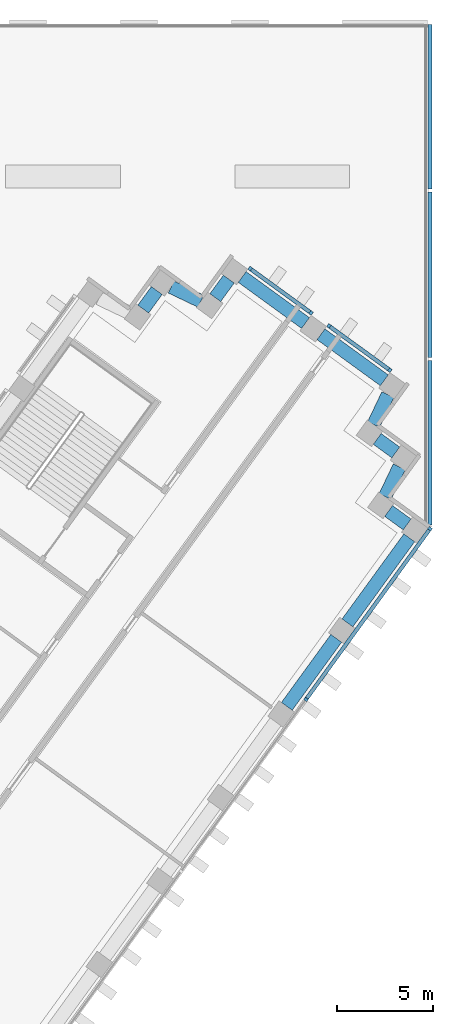
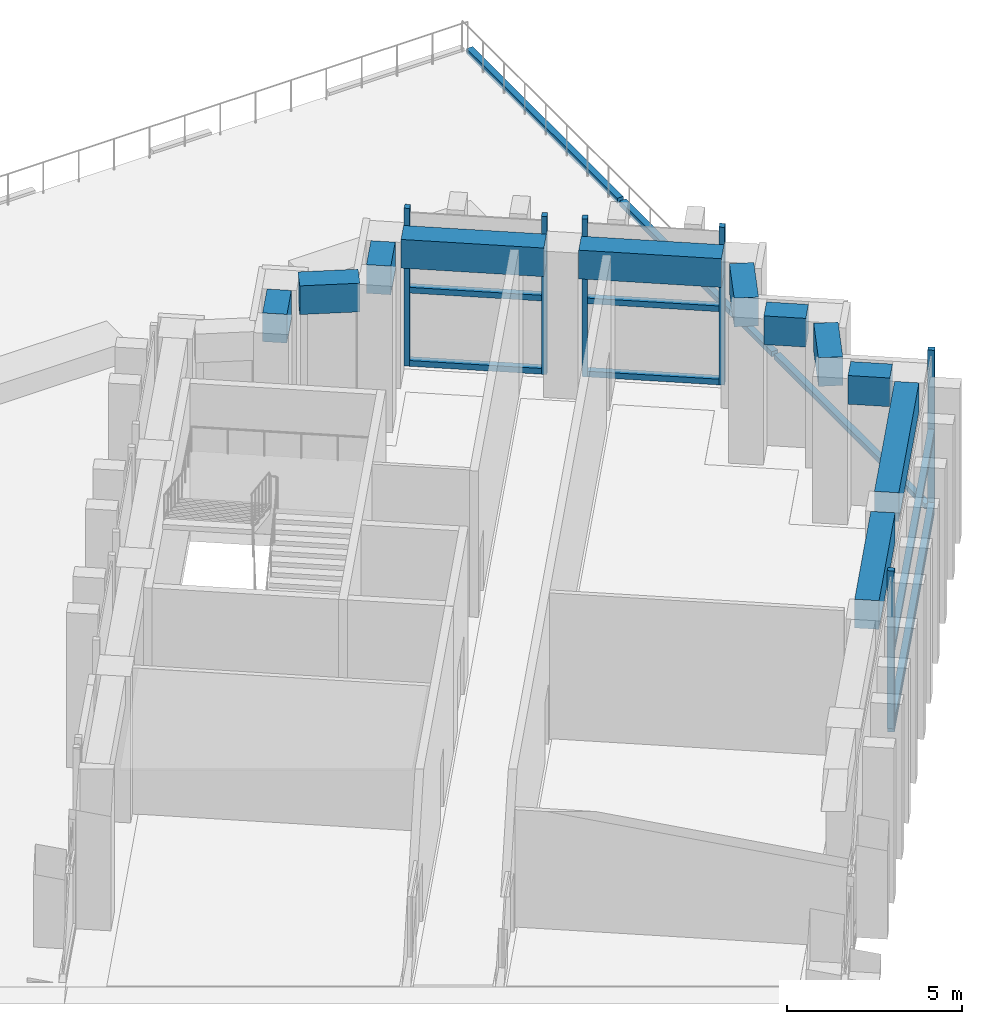
"""IFC4 building model written with IfcOpenShell, lengths in metres."""

from ifc_helpers import new_model, si_unit, direction, frame, origin, origin_2d, place, context, subcontext, project, spatial, rectangle, extrude, material, material_profile, profile_set, type_object, element, aggregate, save


model = new_model("IFC4")

# Units and contexts
model_context = context("Model", 3, precision=1e-05, world=origin(), true_north=direction((0.0, 1.0)))
body_context = subcontext(model_context, "Body", "Model", "MODEL_VIEW")
ifc_project = project(units=[si_unit("LENGTHUNIT", "METRE"), si_unit("AREAUNIT", "SQUARE_METRE"), si_unit("VOLUMEUNIT", "CUBIC_METRE"), si_unit("PLANEANGLEUNIT", "RADIAN"), si_unit("MASSUNIT", "GRAM", prefix="KILO")], contexts=[model_context])

# Site, building, storey
site_placement = place(None, origin())
site = spatial("IfcSite", under=ifc_project, at=site_placement, CompositionType="ELEMENT")
building_placement = place(site_placement, origin())
building = spatial("IfcBuilding", under=site, at=building_placement, Name="Quipu Civic Tower", CompositionType="ELEMENT")
storey_1_placement = place(building_placement, frame((0.0, 0.0, 6.0)))
storey_1 = spatial("IfcBuildingStorey", under=building, at=storey_1_placement, Name="L01", CompositionType="ELEMENT", Elevation=6.0)

# Curtain wall, members
ifc_material_1 = material(Name="Insulated glass unit", Category="glass")
curtain_wall_type_1 = type_object("IfcCurtainWallType", Name="Council chamber curtain wall CW4", PredefinedType="NOTDEFINED", material=ifc_material_1)
curtain_wall_1_placement = place(storey_1_placement, origin())
curtain_wall_1 = element("IfcCurtainWall", 1, at=curtain_wall_1_placement, inside=storey_1, type_object=curtain_wall_type_1, Name="Council chamber curtain wall CW4 L01 run 34", PredefinedType="NOTDEFINED")
ifc_material_2 = material(Name="Anodised aluminium", Category="aluminium")
ifc_material_profile_1 = material_profile(ifc_material_2, rectangle(XDim=0.199951171875, YDim=0.159912109375, at=origin_2d()), Name="RECT 200x160")
ifc_profile_set_1 = profile_set([ifc_material_profile_1], Name="Anodised aluminium")
member_type_1 = type_object("IfcMemberType", Name="Mullion CW4", PredefinedType="MULLION", material=ifc_profile_set_1)
member_1_placement = place(storey_1_placement, frame((48.717041015625, 20.64111328125, 0.10009765625), z_axis=(0.0, 0.0, 1.0), x_axis=(-0.809016918788, 0.587785356329, 0.0)))
member_1 = element("IfcMember", 2, at=member_1_placement, type_object=member_type_1, Name="CW4 mullion 4", PredefinedType="MULLION", context=body_context, shape_type="SweptSolid", body=[
    extrude(rectangle(XDim=0.199951171875, YDim=0.159912109375, at=origin_2d()), origin(), (0.0, 0.0, 1.0), 5.5),
])
member_2_placement = place(storey_1_placement, frame((55.20703125, 29.573974609375, 0.10009765625), z_axis=(0.0, 0.0, 1.0), x_axis=(-0.809016918788, 0.587785356329, 0.0)))
member_2 = element("IfcMember", 3, at=member_2_placement, type_object=member_type_1, Name="CW4 mullion 5", PredefinedType="MULLION", context=body_context, shape_type="SweptSolid", body=[
    extrude(rectangle(XDim=0.199951171875, YDim=0.159912109375, at=origin_2d()), origin(), (0.0, 0.0, 1.0), 5.5),
])

curtain_wall_2_placement = place(storey_1_placement, origin())
curtain_wall_2 = element("IfcCurtainWall", 4, at=curtain_wall_2_placement, inside=storey_1, type_object=curtain_wall_type_1, Name="Council chamber curtain wall CW4 L01 run 39", PredefinedType="NOTDEFINED")
member_3_placement = place(storey_1_placement, frame((53.103271484375, 37.876220703125, 0.10009765625), z_axis=(0.0, 0.0, 1.0), x_axis=(-0.587788590681, -0.809014568883, 0.0)))
member_3 = element("IfcMember", 5, at=member_3_placement, type_object=member_type_1, Name="CW4 mullion 1", PredefinedType="MULLION", context=body_context, shape_type="SweptSolid", body=[
    extrude(rectangle(XDim=0.199951171875, YDim=0.159912109375, at=origin_2d()), origin(), (0.0, 0.0, 1.0), 5.5),
])
member_4_placement = place(storey_1_placement, frame((49.917236328125, 40.19091796875, 0.10009765625), z_axis=(0.0, 0.0, 1.0), x_axis=(-0.587788590681, -0.809014568883, 0.0)))
member_4 = element("IfcMember", 6, at=member_4_placement, type_object=member_type_1, Name="CW4 mullion 2", PredefinedType="MULLION", context=body_context, shape_type="SweptSolid", body=[
    extrude(rectangle(XDim=0.199951171875, YDim=0.159912109375, at=origin_2d()), origin(), (0.0, 0.0, 1.0), 5.5),
])

curtain_wall_3_placement = place(storey_1_placement, origin())
curtain_wall_3 = element("IfcCurtainWall", 7, at=curtain_wall_3_placement, inside=storey_1, type_object=curtain_wall_type_1, Name="Council chamber curtain wall CW4 L01 run 40", PredefinedType="NOTDEFINED")
member_5_placement = place(storey_1_placement, frame((48.978759765625, 40.872802734375, 0.10009765625), z_axis=(0.0, 0.0, 1.0), x_axis=(-0.587767018974, -0.809030241342, 0.0)))
member_5 = element("IfcMember", 8, at=member_5_placement, type_object=member_type_1, Name="CW4 mullion 1", PredefinedType="MULLION", context=body_context, shape_type="SweptSolid", body=[
    extrude(rectangle(XDim=0.199951171875, YDim=0.159912109375, at=origin_2d()), origin(), (0.0, 0.0, 1.0), 5.5),
])
member_6_placement = place(storey_1_placement, frame((45.791259765625, 43.1884765625, 0.10009765625), z_axis=(0.0, 0.0, 1.0), x_axis=(-0.587767018974, -0.809030241342, 0.0)))
member_6 = element("IfcMember", 9, at=member_6_placement, type_object=member_type_1, Name="CW4 mullion 2", PredefinedType="MULLION", context=body_context, shape_type="SweptSolid", body=[
    extrude(rectangle(XDim=0.199951171875, YDim=0.159912109375, at=origin_2d()), origin(), (0.0, 0.0, 1.0), 5.5),
])

# Beams
ifc_material_3 = material(Name="Concrete C50/60", Category="concrete")
ifc_material_profile_2 = material_profile(ifc_material_3, rectangle(XDim=0.699951171875, YDim=1.0, at=origin_2d()), Name="RC700x1000")
ifc_profile_set_2 = profile_set([ifc_material_profile_2], Name="Concrete C50/60")
beam_type = type_object("IfcBeamType", Name="Spandrel beam RC 700x1000 C50/60", PredefinedType="SPANDREL", material=ifc_profile_set_2)
beam_1_placement = place(storey_1_placement, frame((47.71240234375, 20.279296875, 4.60009765625), z_axis=(0.587759228046, 0.809035901457, 0.0), x_axis=(-0.809035901457, 0.587759228046, 0.0)))
element("IfcBeam", 10, at=beam_1_placement, inside=storey_1, type_object=beam_type, Name="Spandrel beam L01 E-OUT-06 to E-OUT-07", PredefinedType="SPANDREL", context=body_context, shape_type="SweptSolid", body=[
    extrude(rectangle(XDim=0.699951171875, YDim=1.0, at=origin_2d()), origin(), (0.0, 0.0, 1.0), 4.400146484375),
])
beam_2_placement = place(storey_1_placement, frame((50.88623046875, 24.64794921875, 4.60009765625), z_axis=(0.587765432916, 0.809031393624, 0.0), x_axis=(-0.809031393624, 0.587765432916, 0.0)))
element("IfcBeam", 11, at=beam_2_placement, inside=storey_1, type_object=beam_type, Name="Spandrel beam L01 E-OUT-07 to T-Eo.0-E50", PredefinedType="SPANDREL", context=body_context, shape_type="SweptSolid", body=[
    extrude(rectangle(XDim=0.699951171875, YDim=1.0, at=origin_2d()), origin(), (0.0, 0.0, 1.0), 5.503662109375),
])
beam_3_placement = place(storey_1_placement, frame((54.0107421875, 29.79931640625, 4.60009765625), z_axis=(-0.808630508091, 0.588316837584, 0.0), x_axis=(-0.588316837584, -0.808630508091, 0.0)))
element("IfcBeam", 12, at=beam_3_placement, inside=storey_1, type_object=beam_type, Name="Spandrel beam L01 T-Eo.0-E50 to T-Eo.1-E50", PredefinedType="SPANDREL", context=body_context, shape_type="SweptSolid", body=[
    extrude(rectangle(XDim=0.699951171875, YDim=1.0, at=origin_2d()), origin(), (0.0, 0.0, 1.0), 1.2001953125),
])
beam_4_placement = place(storey_1_placement, frame((52.85546875, 31.258056640625, 4.60009765625), z_axis=(0.431370473785, 0.902174880135, 0.0), x_axis=(-0.902174880135, 0.431370473785, 0.0)))
element("IfcBeam", 13, at=beam_4_placement, inside=storey_1, type_object=beam_type, Name="Spandrel beam L01 T-Eo.1-E50 to T-Eo.2-E50", PredefinedType="SPANDREL", context=body_context, shape_type="SweptSolid", body=[
    extrude(rectangle(XDim=0.699951171875, YDim=1.0, at=origin_2d()), origin(), (0.0, 0.0, 1.0), 1.727294921875),
])
beam_5_placement = place(storey_1_placement, frame((53.415771484375, 33.569091796875, 4.60009765625), z_axis=(-0.808586856323, 0.588376831446, 0.0), x_axis=(-0.588376831446, -0.808586856323, 0.0)))
element("IfcBeam", 14, at=beam_5_placement, inside=storey_1, type_object=beam_type, Name="Spandrel beam L01 T-Eo.2-E50 to T-Eo.3-E50", PredefinedType="SPANDREL", context=body_context, shape_type="SweptSolid", body=[
    extrude(rectangle(XDim=0.699951171875, YDim=1.0, at=origin_2d()), origin(), (0.0, 0.0, 1.0), 1.202880859375),
])
beam_6_placement = place(storey_1_placement, frame((52.257568359375, 35.0302734375, 4.60009765625), z_axis=(0.430185740912, 0.902740399182, 0.0), x_axis=(-0.902740399182, 0.430185740912, 0.0)))
element("IfcBeam", 15, at=beam_6_placement, inside=storey_1, type_object=beam_type, Name="Spandrel beam L01 T-Eo.3-E50 to T-Eo.4-E50", PredefinedType="SPANDREL", context=body_context, shape_type="SweptSolid", body=[
    extrude(rectangle(XDim=0.699951171875, YDim=1.0, at=origin_2d()), origin(), (0.0, 0.0, 1.0), 1.728759765625),
])
beam_7_placement = place(storey_1_placement, frame((52.8154296875, 37.343994140625, 4.60009765625), z_axis=(-0.808980758408, 0.587835123589, 0.0), x_axis=(-0.587835123589, -0.808980758408, 0.0)))
element("IfcBeam", 16, at=beam_7_placement, inside=storey_1, type_object=beam_type, Name="Spandrel beam L01 T-Eo.4-E50 to TIP-E-01-E50", PredefinedType="SPANDREL", context=body_context, shape_type="SweptSolid", body=[
    extrude(rectangle(XDim=0.699951171875, YDim=1.0, at=origin_2d()), origin(), (0.0, 0.0, 1.0), 4.097900390625),
])
beam_8_placement = place(storey_1_placement, frame((48.69140625, 40.3408203125, 4.60009765625), z_axis=(-0.808983206573, 0.587831754401, 0.0), x_axis=(-0.587831754401, -0.808983206573, 0.0)))
element("IfcBeam", 17, at=beam_8_placement, inside=storey_1, type_object=beam_type, Name="Spandrel beam L01 TIP-E-01-E50 to T-Ei.0-E50", PredefinedType="SPANDREL", context=body_context, shape_type="SweptSolid", body=[
    extrude(rectangle(XDim=0.699951171875, YDim=1.0, at=origin_2d()), origin(), (0.0, 0.0, 1.0), 4.10009765625),
])
beam_9_placement = place(storey_1_placement, frame((44.67578125, 42.640625, 4.60009765625), z_axis=(-0.588461629015, -0.808525145667, 0.0), x_axis=(0.808525145667, -0.588461629015, 0.0)))
element("IfcBeam", 18, at=beam_9_placement, inside=storey_1, type_object=beam_type, Name="Spandrel beam L01 T-Ei.0-E50 to T-Ei.1-E50", PredefinedType="SPANDREL", context=body_context, shape_type="SweptSolid", body=[
    extrude(rectangle(XDim=0.699951171875, YDim=1.0, at=origin_2d()), origin(), (0.0, 0.0, 1.0), 1.201416015625),
])
beam_10_placement = place(storey_1_placement, frame((43.215576171875, 41.48388671875, 4.60009765625), z_axis=(-0.902651065962, 0.430373155666, 0.0), x_axis=(-0.430373155666, -0.902651065962, 0.0)))
element("IfcBeam", 19, at=beam_10_placement, inside=storey_1, type_object=beam_type, Name="Spandrel beam L01 T-Ei.1-E50 to T-Ei.2-E50", PredefinedType="SPANDREL", context=body_context, shape_type="SweptSolid", body=[
    extrude(rectangle(XDim=0.699951171875, YDim=1.0, at=origin_2d()), origin(), (0.0, 0.0, 1.0), 1.724609375),
])
beam_11_placement = place(storey_1_placement, frame((40.90576171875, 42.040771484375, 4.60009765625), z_axis=(-0.588316837584, -0.808630508091, 0.0), x_axis=(0.808630508091, -0.588316837584, 0.0)))
element("IfcBeam", 20, at=beam_11_placement, inside=storey_1, type_object=beam_type, Name="Spandrel beam L01 T-Ei.2-E50 to T-Ei.3-E50", PredefinedType="SPANDREL", context=body_context, shape_type="SweptSolid", body=[
    extrude(rectangle(XDim=0.699951171875, YDim=1.0, at=origin_2d()), origin(), (0.0, 0.0, 1.0), 1.2001953125),
])

# Storey
storey_2_placement = place(building_placement, origin())
storey_2 = spatial("IfcBuildingStorey", under=building, at=storey_2_placement, Name="L00", CompositionType="ELEMENT", Elevation=0.0)

# Curtain wall, member
ifc_material_4 = material(Name="Insulated glass unit", Category="glass")
curtain_wall_type_2 = type_object("IfcCurtainWallType", Name="Hall glazing CW2", PredefinedType="NOTDEFINED", material=ifc_material_4)
curtain_wall_4_placement = place(storey_2_placement, origin())
curtain_wall_4 = element("IfcCurtainWall", 21, at=curtain_wall_4_placement, inside=storey_2, type_object=curtain_wall_type_2, Name="Hall glazing CW2 L00 run 1", PredefinedType="NOTDEFINED")
ifc_material_5 = material(Name="Anodised aluminium", Category="aluminium")
ifc_material_profile_3 = material_profile(ifc_material_5, rectangle(XDim=0.199951171875, YDim=0.179931640625, at=origin_2d()), Name="RECT 200x180")
ifc_profile_set_3 = profile_set([ifc_material_profile_3], Name="Anodised aluminium")
member_type_2 = type_object("IfcMemberType", Name="Transom CW2", PredefinedType="USERDEFINED", material=ifc_profile_set_3)
member_7_placement = place(storey_1_placement, frame((48.732421875, 20.662109375, 0.0), z_axis=(0.587763979163, 0.809032449781, 0.0), x_axis=(-0.809032449781, 0.587763979163, 0.0)))
member_7 = element("IfcMember", 22, at=member_7_placement, inside=storey_1, type_object=member_type_2, Name="CW2 transom 4.3", ObjectType="TRANSOM", PredefinedType="USERDEFINED", context=body_context, shape_type="SweptSolid", body=[
    extrude(rectangle(XDim=0.199951171875, YDim=0.179931640625, at=origin_2d()), origin(), (0.0, 0.0, 1.0), 10.89697265625),
])
aggregate(curtain_wall_4, [member_7])

# Curtain wall, members
curtain_wall_5_placement = place(storey_2_placement, origin())
curtain_wall_5 = element("IfcCurtainWall", 23, at=curtain_wall_5_placement, inside=storey_2, type_object=curtain_wall_type_2, Name="Hall glazing CW2 L00 run 4", PredefinedType="NOTDEFINED")
member_8_placement = place(storey_1_placement, frame((55.21435546875, 29.782470703125, 0.0), z_axis=(0.0, 1.0, 0.0), x_axis=(-1.0, 0.0, 0.0)))
member_8 = element("IfcMember", 24, at=member_8_placement, inside=storey_1, type_object=member_type_2, Name="CW2 transom 1.3", ObjectType="TRANSOM", PredefinedType="USERDEFINED", context=body_context, shape_type="SweptSolid", body=[
    extrude(rectangle(XDim=0.199951171875, YDim=0.179931640625, at=origin_2d()), origin(), (0.0, 0.0, 1.0), 8.609130859375),
])
member_9_placement = place(storey_1_placement, frame((55.21435546875, 38.531494140625, 0.0), z_axis=(0.0, 1.0, 0.0), x_axis=(-1.0, 0.0, 0.0)))
member_9 = element("IfcMember", 25, at=member_9_placement, inside=storey_1, type_object=member_type_2, Name="CW2 transom 2.3", ObjectType="TRANSOM", PredefinedType="USERDEFINED", context=body_context, shape_type="SweptSolid", body=[
    extrude(rectangle(XDim=0.199951171875, YDim=0.179931640625, at=origin_2d()), origin(), (0.0, 0.0, 1.0), 8.67919921875),
])
member_10_placement = place(storey_1_placement, frame((55.21435546875, 47.350830078125, 0.0), z_axis=(0.0, 1.0, 0.0), x_axis=(-1.0, 0.0, 0.0)))
member_10 = element("IfcMember", 26, at=member_10_placement, inside=storey_1, type_object=member_type_2, Name="CW2 transom 3.3", ObjectType="TRANSOM", PredefinedType="USERDEFINED", context=body_context, shape_type="SweptSolid", body=[
    extrude(rectangle(XDim=0.199951171875, YDim=0.179931640625, at=origin_2d()), origin(), (0.0, 0.0, 1.0), 8.609130859375),
])
aggregate(curtain_wall_5, [member_8, member_9, member_10])

# Member
ifc_material_6 = material(Name="Anodised aluminium", Category="aluminium")
ifc_material_profile_4 = material_profile(ifc_material_6, rectangle(XDim=0.199951171875, YDim=0.199951171875, at=origin_2d()), Name="RECT 200x200")
ifc_profile_set_4 = profile_set([ifc_material_profile_4], Name="Anodised aluminium")
member_type_3 = type_object("IfcMemberType", Name="Transom CW4", PredefinedType="USERDEFINED", material=ifc_profile_set_4)
member_11_placement = place(storey_1_placement, frame((48.76416015625, 20.705810546875, 0.199951171875), z_axis=(0.587779422244, 0.809021230121, 0.0), x_axis=(-0.809021230121, 0.587779422244, 0.0)))
member_11 = element("IfcMember", 27, at=member_11_placement, type_object=member_type_3, Name="CW4 transom 4.1", ObjectType="TRANSOM", PredefinedType="USERDEFINED", context=body_context, shape_type="SweptSolid", body=[
    extrude(rectangle(XDim=0.199951171875, YDim=0.199951171875, at=origin_2d()), origin(), (0.0, 0.0, 1.0), 10.881591796875),
])

member_12_placement = place(storey_1_placement, frame((48.76416015625, 20.705810546875, 2.75), z_axis=(0.587779422244, 0.809021230121, 0.0), x_axis=(-0.809021230121, 0.587779422244, 0.0)))
member_12 = element("IfcMember", 28, at=member_12_placement, type_object=member_type_3, Name="CW4 transom 4.2", ObjectType="TRANSOM", PredefinedType="USERDEFINED", context=body_context, shape_type="SweptSolid", body=[
    extrude(rectangle(XDim=0.199951171875, YDim=0.199951171875, at=origin_2d()), origin(), (0.0, 0.0, 1.0), 10.881591796875),
])

aggregate(curtain_wall_1, [member_1, member_2, member_11, member_12])

member_13_placement = place(storey_1_placement, frame((53.03857421875, 37.923095703125, 0.199951171875), z_axis=(-0.809026595261, 0.587772037579, 0.0), x_axis=(-0.587772037579, -0.809026595261, 0.0)))
member_13 = element("IfcMember", 29, at=member_13_placement, type_object=member_type_3, Name="CW4 transom 1.1", ObjectType="TRANSOM", PredefinedType="USERDEFINED", context=body_context, shape_type="SweptSolid", body=[
    extrude(rectangle(XDim=0.199951171875, YDim=0.199951171875, at=origin_2d()), origin(), (0.0, 0.0, 1.0), 3.778076171875),
])

member_14_placement = place(storey_1_placement, frame((53.03857421875, 37.923095703125, 2.75), z_axis=(-0.809026595261, 0.587772037579, 0.0), x_axis=(-0.587772037579, -0.809026595261, 0.0)))
member_14 = element("IfcMember", 30, at=member_14_placement, type_object=member_type_3, Name="CW4 transom 1.2", ObjectType="TRANSOM", PredefinedType="USERDEFINED", context=body_context, shape_type="SweptSolid", body=[
    extrude(rectangle(XDim=0.199951171875, YDim=0.199951171875, at=origin_2d()), origin(), (0.0, 0.0, 1.0), 3.778076171875),
])

aggregate(curtain_wall_2, [member_3, member_4, member_13, member_14])

member_15_placement = place(storey_1_placement, frame((48.9140625, 40.919677734375, 0.199951171875), z_axis=(-0.809006911497, 0.587799129933, 0.0), x_axis=(-0.587799129933, -0.809006911497, 0.0)))
member_15 = element("IfcMember", 31, at=member_15_placement, type_object=member_type_3, Name="CW4 transom 1.1", ObjectType="TRANSOM", PredefinedType="USERDEFINED", context=body_context, shape_type="SweptSolid", body=[
    extrude(rectangle(XDim=0.199951171875, YDim=0.199951171875, at=origin_2d()), origin(), (0.0, 0.0, 1.0), 3.780029296875),
])

member_16_placement = place(storey_1_placement, frame((48.9140625, 40.919677734375, 2.75), z_axis=(-0.809006911497, 0.587799129933, 0.0), x_axis=(-0.587799129933, -0.809006911497, 0.0)))
member_16 = element("IfcMember", 32, at=member_16_placement, type_object=member_type_3, Name="CW4 transom 1.2", ObjectType="TRANSOM", PredefinedType="USERDEFINED", context=body_context, shape_type="SweptSolid", body=[
    extrude(rectangle(XDim=0.199951171875, YDim=0.199951171875, at=origin_2d()), origin(), (0.0, 0.0, 1.0), 3.780029296875),
])

aggregate(curtain_wall_3, [member_5, member_6, member_15, member_16])

save(model, "model.ifc")
